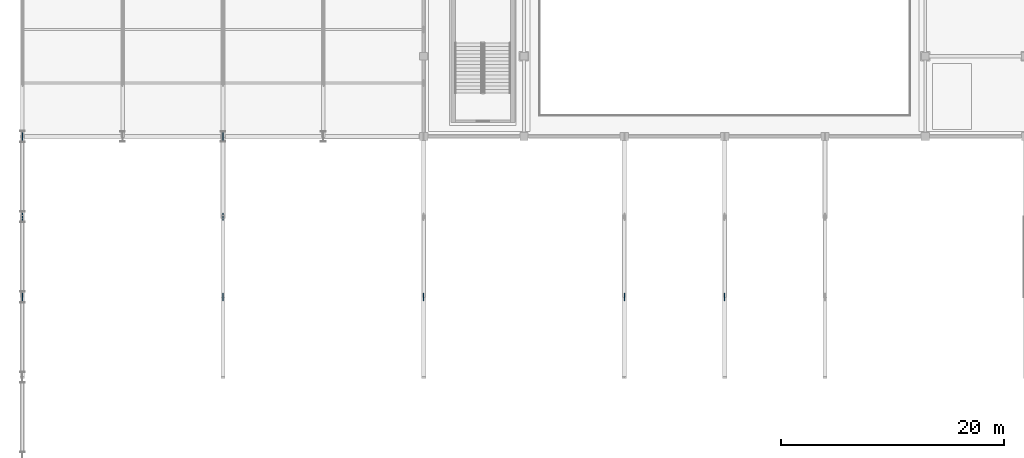
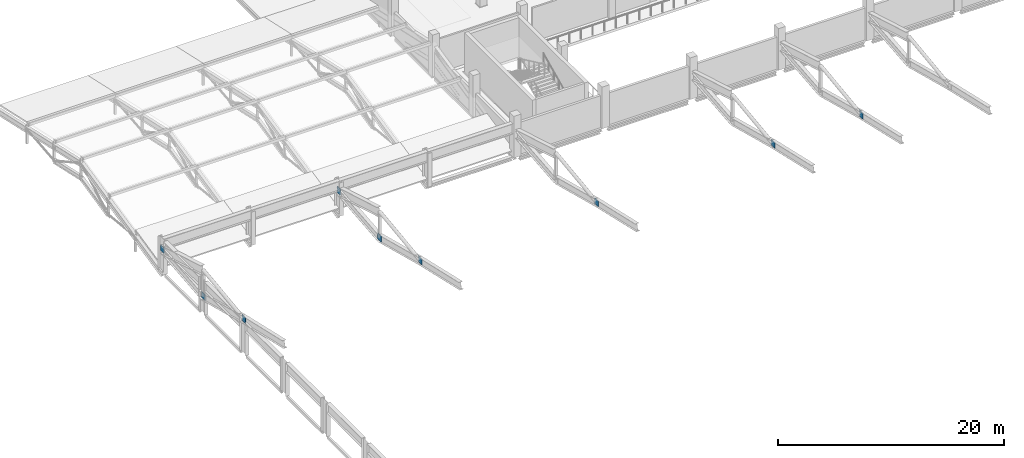
# One storey, part 96 of 151: 9 plates.
"""IFC4 building model written with IfcOpenShell, lengths in metres."""

from ifc_helpers import new_model, si_unit, direction, frame, origin, origin_2d, place, context, subcontext, project, spatial, rectangle, extrude, material, layer, layer_set, type_object, element, save


model = new_model("IFC4")

# Units and contexts
model_context = context("Model", 3, precision=1e-05, world=origin(), true_north=direction((0.0, 1.0)))
body_context = subcontext(model_context, "Body", "Model", "MODEL_VIEW")
ifc_project = project(units=[si_unit("LENGTHUNIT", "METRE"), si_unit("AREAUNIT", "SQUARE_METRE"), si_unit("VOLUMEUNIT", "CUBIC_METRE"), si_unit("PLANEANGLEUNIT", "RADIAN"), si_unit("MASSUNIT", "GRAM", prefix="KILO")], contexts=[model_context])

# Site, building, storey
site_placement = place(None, origin())
site = spatial("IfcSite", under=ifc_project, at=site_placement, CompositionType="ELEMENT")
building_placement = place(site_placement, origin())
building = spatial("IfcBuilding", under=site, at=building_placement, Name="Celestram Park Convention Centre", CompositionType="ELEMENT")
storey_placement = place(building_placement, frame((0.0, 0.0, 10.800048828125)))
storey = spatial("IfcBuildingStorey", under=building, at=storey_placement, Name="L02", CompositionType="ELEMENT", Elevation=10.800048828125)

# Plates
ifc_material = material(Name="Steel ASTM A572 Grade 50", Category="steel")
ifc_layer = layer(ifc_material, 0.050048828125)
ifc_layer_set = layer_set([ifc_layer], Name="Steel ASTM A572 Grade 50")
plate_type = type_object("IfcPlateType", Name="STR-PLT-GP50", PredefinedType="USERDEFINED", material=ifc_layer_set)
for number, where, z_axis, x_axis, name in (
    (1, (0.0, 93.60009765625, 3.290283203125), (0.0, 0.0, 1.0), (0.0, 1.0, 0.0), "V1 truss node gusset plate"),
    (2, (0.0, 100.800048828125, 1.411865234375), (0.0, 0.0, 1.0), (0.0, 1.0, 0.0), "V1 truss node gusset plate"),
    (3, (0.0, 108.0, 2.103515625), (0.0, 0.0, 1.0), (0.0, 1.0, 0.0), "V1 truss node gusset plate"),
    (4, (18.0, 93.60009765625, 3.290283203125), (0.0, 0.0, 1.0), (0.0, 1.0, 0.0), "V1 truss node gusset plate"),
    (5, (18.0, 100.800048828125, 1.411865234375), (0.0, 0.0, 1.0), (0.0, 1.0, 0.0), "V1 truss node gusset plate"),
    (6, (18.0, 108.0, 2.103515625), (0.0, 0.0, 1.0), (0.0, 1.0, 0.0), "V1 truss node gusset plate"),
    (7, (36.0, 93.60009765625, 3.290283203125), (0.0, 0.0, 1.0), (0.0, 1.0, 0.0), "V1 truss node gusset plate"),
    (8, (54.0, 93.60009765625, 3.290283203125), (0.0, 0.0, 1.0), (0.0, 1.0, 0.0), "V1 truss node gusset plate"),
    (9, (63.0, 93.60009765625, 3.290283203125), (0.0, 0.0, 1.0), (0.0, 1.0, 0.0), "V1 truss node gusset plate"),
):
    element("IfcPlate", number, at=place(storey_placement, frame(where, z_axis=z_axis, x_axis=x_axis)), inside=storey, type_object=plate_type, Name=name, ObjectType="GUSSET_PLATE", PredefinedType="USERDEFINED", context=body_context, shape_type="SweptSolid", body=[
        extrude(rectangle(XDim=0.64990234375, YDim=0.050048828125, at=origin_2d()), origin(), (0.0, 0.0, 1.0), 0.64990234375),
    ])

save(model, "model.ifc")
